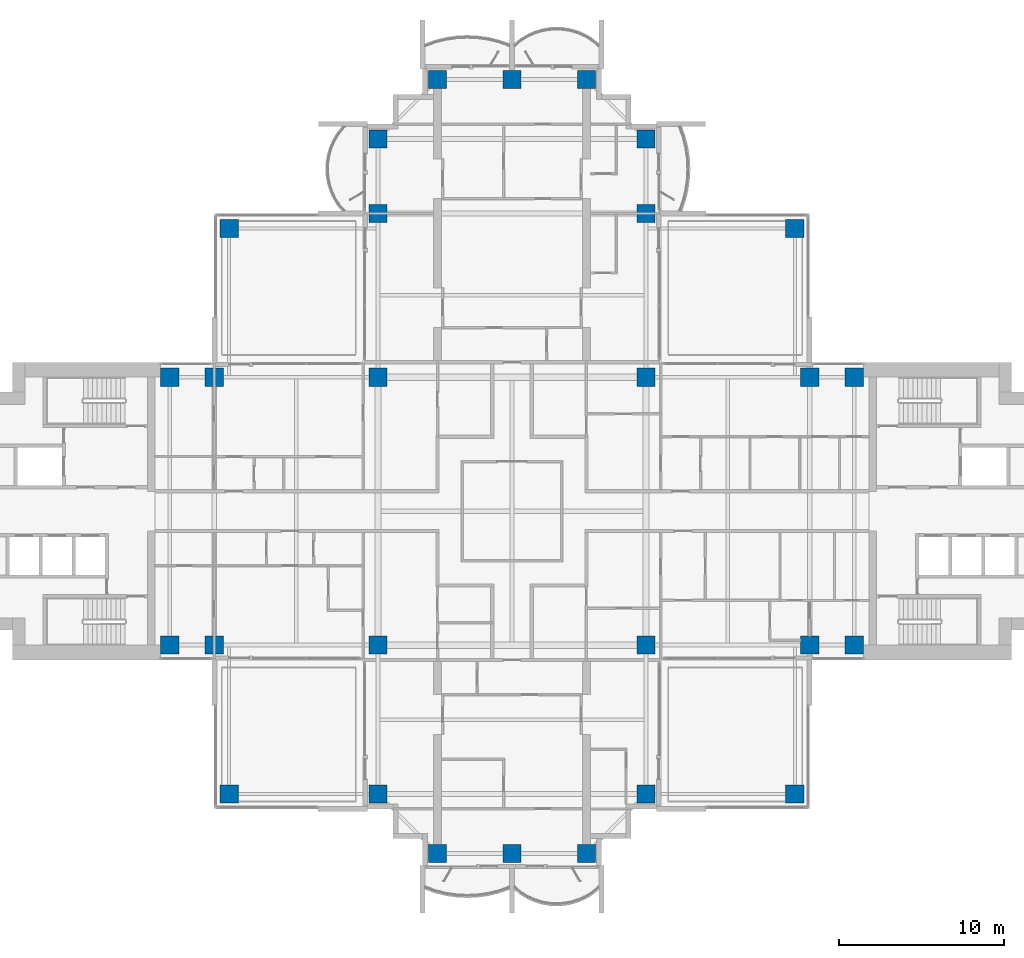
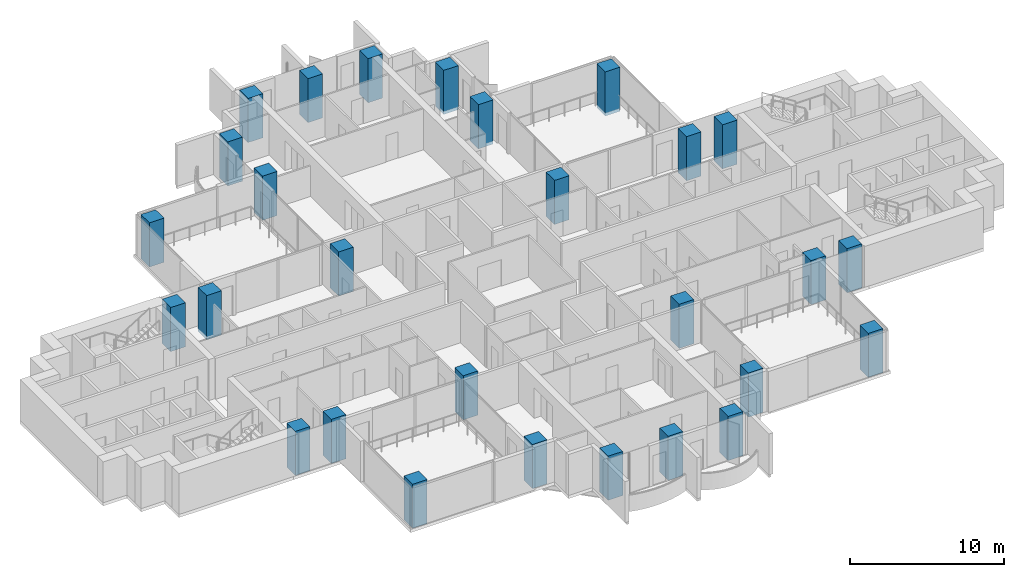
# One storey, part 1 of 19: 28 columns.
"""IFC4 building model written with IfcOpenShell, lengths in metres."""

from ifc_helpers import new_model, si_unit, direction, frame, origin, origin_2d, place, context, subcontext, project, spatial, rectangle, extrude, material, material_profile, profile_set, type_object, element, save


model = new_model("IFC4")

# Units and contexts
model_context = context("Model", 3, precision=1e-05, world=origin(), true_north=direction((0.0, 1.0)))
body_context = subcontext(model_context, "Body", "Model", "MODEL_VIEW")
ifc_project = project(units=[si_unit("LENGTHUNIT", "METRE"), si_unit("AREAUNIT", "SQUARE_METRE"), si_unit("VOLUMEUNIT", "CUBIC_METRE"), si_unit("PLANEANGLEUNIT", "RADIAN"), si_unit("MASSUNIT", "GRAM", prefix="KILO")], contexts=[model_context])

# Site, building, storey
site_placement = place(None, origin())
site = spatial("IfcSite", under=ifc_project, at=site_placement, CompositionType="ELEMENT")
building_placement = place(site_placement, origin())
building = spatial("IfcBuilding", under=site, at=building_placement, Name="Perihelion Cross Residences", CompositionType="ELEMENT")
storey_placement = place(building_placement, frame((0.0, 0.0, 119.89990234375)))
storey = spatial("IfcBuildingStorey", under=building, at=storey_placement, Name="L28", CompositionType="ELEMENT", Elevation=119.89990234375)

# Columns
ifc_material = material(Name="Concrete C60/75", Category="concrete")
ifc_material_profile = material_profile(ifc_material, rectangle(XDim=1.10009765625, YDim=1.10009765625, at=origin_2d()), Name="RC 1100x1100")
ifc_profile_set = profile_set([ifc_material_profile], Name="Concrete C60/75")
column_type = type_object("IfcColumnType", Name="Reinforced concrete column 1100x1100 C60/75", PredefinedType="COLUMN", material=ifc_profile_set)
for number, where, z_axis, x_axis, name in (
    (1, (-20.699951171875, -8.10009765625, -0.25), (0.0, 0.0, 1.0), (1.0, 0.0, 0.0), "Column C017 L28 no. 1"),
    (2, (-20.699951171875, 8.10009765625, -0.25), (0.0, 0.0, 1.0), (1.0, 0.0, 0.0), "Column C010 L28 no. 1"),
    (3, (-18.0, -8.10009765625, -0.25), (0.0, 0.0, 1.0), (1.0, 0.0, 0.0), "Column C018 L28 no. 1"),
    (4, (-18.0, 8.10009765625, -0.25), (0.0, 0.0, 1.0), (1.0, 0.0, 0.0), "Column C011 L28 no. 1"),
    (5, (-8.10009765625, -17.10009765625, -0.25), (0.0, 0.0, 1.0), (1.0, 0.0, 0.0), "Column C031 L28 no. 1"),
    (6, (-8.10009765625, -8.10009765625, -0.25), (0.0, 0.0, 1.0), (1.0, 0.0, 0.0), "Column C019 L28 no. 1"),
    (7, (-8.10009765625, 8.10009765625, -0.25), (0.0, 0.0, 1.0), (1.0, 0.0, 0.0), "Column C012 L28 no. 1"),
    (8, (-8.10009765625, 18.0, -0.25), (0.0, 0.0, 1.0), (1.0, 0.0, 0.0), "Column C006 L28 no. 1"),
    (9, (-8.10009765625, 22.5, -0.25), (0.0, 0.0, 1.0), (1.0, 0.0, 0.0), "Column C004 L28 no. 1"),
    (10, (-4.5, -20.699951171875, -0.25), (0.0, 0.0, 1.0), (1.0, 0.0, 0.0), "Column C037 L28 no. 1"),
    (11, (-4.5, 26.10009765625, -0.25), (0.0, 0.0, 1.0), (1.0, 0.0, 0.0), "Column C001 L28 no. 1"),
    (12, (0.0, -20.699951171875, -0.25), (0.0, 0.0, 1.0), (1.0, 0.0, 0.0), "Column C038 L28 no. 1"),
    (13, (0.0, 26.10009765625, -0.25), (0.0, 0.0, 1.0), (1.0, 0.0, 0.0), "Column C002 L28 no. 1"),
    (14, (4.5, -20.699951171875, -0.25), (0.0, 0.0, 1.0), (1.0, 0.0, 0.0), "Column C039 L28 no. 1"),
    (15, (4.5, 26.10009765625, -0.25), (0.0, 0.0, 1.0), (1.0, 0.0, 0.0), "Column C003 L28 no. 1"),
    (16, (8.10009765625, -17.10009765625, -0.25), (0.0, 0.0, 1.0), (1.0, 0.0, 0.0), "Column C035 L28 no. 1"),
    (17, (8.10009765625, -8.10009765625, -0.25), (0.0, 0.0, 1.0), (1.0, 0.0, 0.0), "Column C020 L28 no. 1"),
    (18, (8.10009765625, 8.10009765625, -0.25), (0.0, 0.0, 1.0), (1.0, 0.0, 0.0), "Column C014 L28 no. 1"),
    (19, (8.10009765625, 18.0, -0.25), (0.0, 0.0, 1.0), (1.0, 0.0, 0.0), "Column C007 L28 no. 1"),
    (20, (8.10009765625, 22.5, -0.25), (0.0, 0.0, 1.0), (1.0, 0.0, 0.0), "Column C005 L28 no. 1"),
    (21, (18.0, -8.10009765625, -0.25), (0.0, 0.0, 1.0), (1.0, 0.0, 0.0), "Column C021 L28 no. 1"),
    (22, (18.0, 8.10009765625, -0.25), (0.0, 0.0, 1.0), (1.0, 0.0, 0.0), "Column C015 L28 no. 1"),
    (23, (20.699951171875, -8.10009765625, -0.25), (0.0, 0.0, 1.0), (1.0, 0.0, 0.0), "Column C022 L28 no. 1"),
    (24, (20.699951171875, 8.10009765625, -0.25), (0.0, 0.0, 1.0), (1.0, 0.0, 0.0), "Column C016 L28 no. 1"),
    (25, (17.10009765625, 17.10009765625, -0.25), (0.0, 0.0, 1.0), (1.0, 0.0, 0.0), "Column C009 L28 no. 1"),
    (26, (-17.10009765625, 17.10009765625, -0.25), (0.0, 0.0, 1.0), (1.0, 0.0, 0.0), "Column C008 L28 no. 1"),
    (27, (-17.10009765625, -17.10009765625, -0.25), (0.0, 0.0, 1.0), (1.0, 0.0, 0.0), "Column C030 L28 no. 1"),
    (28, (17.10009765625, -17.10009765625, -0.25), (0.0, 0.0, 1.0), (1.0, 0.0, 0.0), "Column C036 L28 no. 1"),
):
    element("IfcColumn", number, at=place(storey_placement, frame(where, z_axis=z_axis, x_axis=x_axis)), inside=storey, type_object=column_type, Name=name, PredefinedType="COLUMN", context=body_context, shape_type="SweptSolid", body=[
        extrude(rectangle(XDim=1.10009765625, YDim=1.10009765625, at=origin_2d()), origin(), (0.0, 0.0, 1.0), 3.5),
    ])

save(model, "model.ifc")
